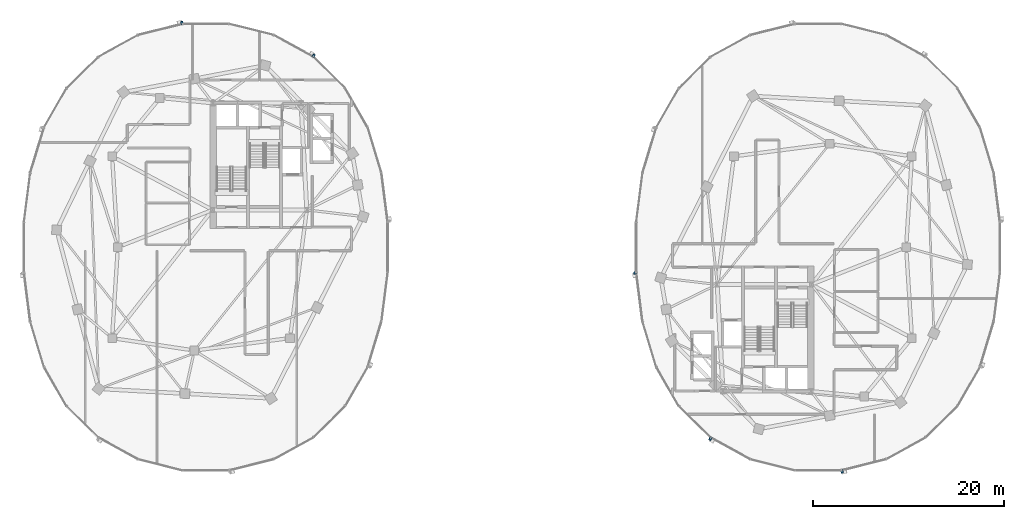
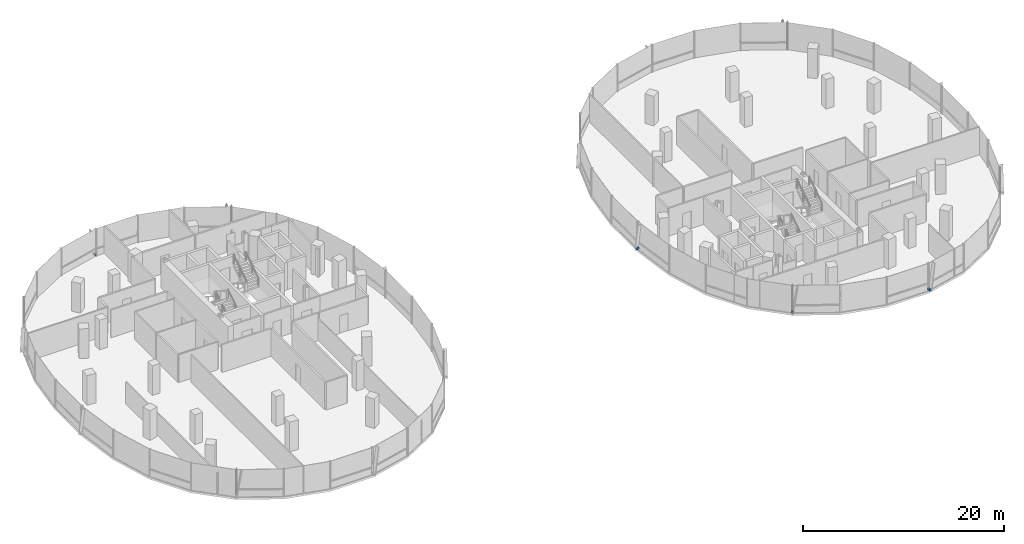
# One storey, part 16 of 22: 5 discrete accessories.
"""IFC4 building model written with IfcOpenShell, lengths in metres."""

from ifc_helpers import new_model, si_unit, direction, frame, origin, origin_2d, place, context, subcontext, project, spatial, rectangle, extrude, material, type_object, element, save


model = new_model("IFC4")

# Units and contexts
model_context = context("Model", 3, precision=1e-05, world=origin(), true_north=direction((0.0, 1.0)))
body_context = subcontext(model_context, "Body", "Model", "MODEL_VIEW")
ifc_project = project(units=[si_unit("LENGTHUNIT", "METRE"), si_unit("AREAUNIT", "SQUARE_METRE"), si_unit("VOLUMEUNIT", "CUBIC_METRE"), si_unit("PLANEANGLEUNIT", "RADIAN"), si_unit("MASSUNIT", "GRAM", prefix="KILO"), si_unit("THERMODYNAMICTEMPERATUREUNIT", "KELVIN"), si_unit("POWERUNIT", "WATT")], contexts=[model_context])

# Site, building, storey
site_placement = place(None, origin())
site = spatial("IfcSite", under=ifc_project, at=site_placement, CompositionType="ELEMENT")
building_placement = place(site_placement, origin())
building = spatial("IfcBuilding", under=site, at=building_placement, Name="Cundina Bronze Exchange", CompositionType="ELEMENT")
storey_placement = place(building_placement, frame((0.0, 0.0, 136.800048828125)))
storey = spatial("IfcBuildingStorey", under=building, at=storey_placement, Name="L35", CompositionType="ELEMENT", Elevation=136.800048828125)

# Discrete accessories
ifc_material = material(Name="Anodised Bronze Aluminium 6063-T6", Category="aluminium")
discrete_accessory_type = type_object("IfcDiscreteAccessoryType", Name="ACC-BRK-FIN", PredefinedType="BRACKET", material=ifc_material)
for number, where, z_axis, x_axis, name in (
    (1, (-20.733154296875, 20.015380859375, 0.10009765625), (0.0, 0.0, 1.0), (-0.875869093438, 0.482548786301, 0.0), "L35 Fin Support Bracket 5"),
    (2, (-34.492919921875, 23.44970703125, 0.10009765625), (0.0, 0.0, 1.0), (-0.970092713791, -0.242734683656, 0.0), "L35 Fin Support Bracket 1"),
    (3, (12.874267578125, -2.69189453125, 0.10009765625), (0.0, 0.0, 1.0), (0.126475984253, -0.9919696696, 0.0), "L35 Fin Support Bracket 1"),
    (4, (20.733154296875, -20.015380859375, 0.10009765625), (0.0, 0.0, 1.0), (0.875869093438, -0.482548786301, 0.0), "L35 Fin Support Bracket 5"),
    (5, (34.492919921875, -23.44970703125, 0.10009765625), (0.0, 0.0, 1.0), (0.970092713791, 0.242734683656, 0.0), "L35 Fin Support Bracket 1"),
):
    element("IfcDiscreteAccessory", number, at=place(storey_placement, frame(where, z_axis=z_axis, x_axis=x_axis)), inside=storey, type_object=discrete_accessory_type, Name=name, PredefinedType="BRACKET", context=body_context, shape_type="SweptSolid", body=[
        extrude(rectangle(XDim=0.219970703125, YDim=0.320068359375, at=origin_2d()), origin(), (0.0, 0.0, 1.0), 0.239990234375),
    ])

save(model, "model.ifc")
